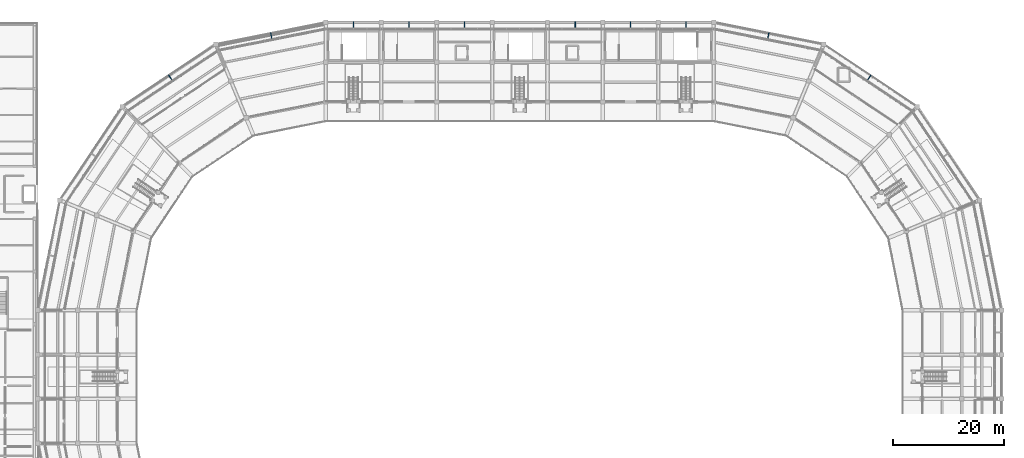
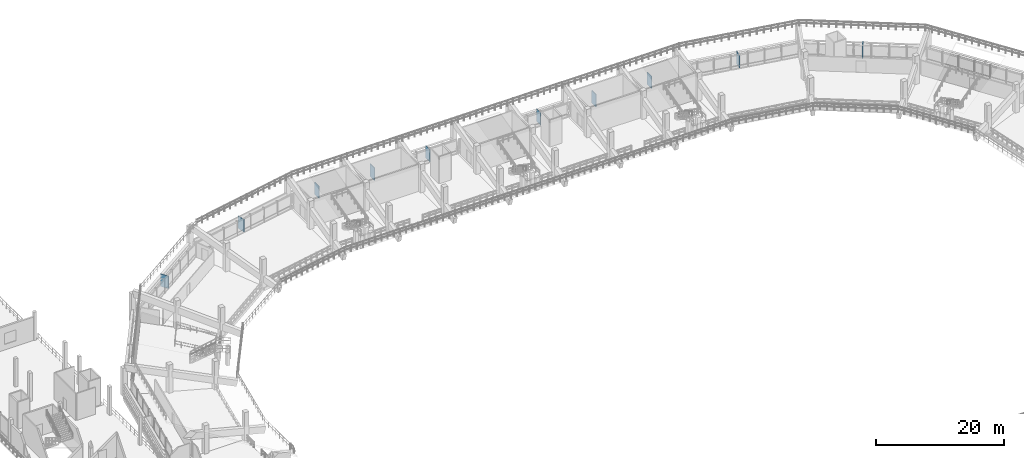
# One storey, part 74 of 96: 10 discrete accessories.
"""IFC4 building model written with IfcOpenShell, lengths in metres."""

from ifc_helpers import new_model, si_unit, direction, frame, origin, origin_2d, place, context, subcontext, project, spatial, rectangle, extrude, material, type_object, element, save


model = new_model("IFC4")

# Units and contexts
model_context = context("Model", 3, precision=1e-05, world=origin(), true_north=direction((0.0, 1.0)))
body_context = subcontext(model_context, "Body", "Model", "MODEL_VIEW")
ifc_project = project(units=[si_unit("LENGTHUNIT", "METRE"), si_unit("AREAUNIT", "SQUARE_METRE"), si_unit("VOLUMEUNIT", "CUBIC_METRE"), si_unit("PLANEANGLEUNIT", "RADIAN"), si_unit("MASSUNIT", "GRAM", prefix="KILO")], contexts=[model_context])

# Site, building, storey
site_placement = place(None, origin())
site = spatial("IfcSite", under=ifc_project, at=site_placement, CompositionType="ELEMENT")
building_placement = place(site_placement, origin())
building = spatial("IfcBuilding", under=site, at=building_placement, Name="Candeia Ridge Stadium", CompositionType="ELEMENT")
storey_placement = place(building_placement, frame((0.0, 0.0, 21.60009765625)))
storey = spatial("IfcBuildingStorey", under=building, at=storey_placement, Name="L04", CompositionType="ELEMENT", Elevation=21.60009765625)

# Discrete accessories
ifc_material = material(Name="Steel ASTM A572 Grade 50", Category="steel")
discrete_accessory_type = type_object("IfcDiscreteAccessoryType", Name="Solar Rib Outrigger Bracket BRK1", PredefinedType="BRACKET", material=ifc_material)
for number, where, z_axis, x_axis, name in (
    (1, (136.0, 146.39990234375, 0.19970703125), (0.0, 0.0, 1.0), (0.0, 1.0, 0.0), "Solar rib steel outrigger bracket L04 bay 01"),
    (2, (126.0, 146.39990234375, 0.19970703125), (0.0, 0.0, 1.0), (0.0, 1.0, 0.0), "Solar rib steel outrigger bracket L04 bay 02"),
    (3, (116.0, 146.39990234375, 0.19970703125), (0.0, 0.0, 1.0), (0.0, 1.0, 0.0), "Solar rib steel outrigger bracket L04 bay 03"),
    (4, (96.0, 146.39990234375, 0.19970703125), (0.0, 0.0, 1.0), (0.0, 1.0, 0.0), "Solar rib steel outrigger bracket L04 bay 05"),
    (5, (86.0, 146.39990234375, 0.19970703125), (0.0, 0.0, 1.0), (0.0, 1.0, 0.0), "Solar rib steel outrigger bracket L04 bay 06"),
    (6, (76.0, 146.39990234375, 0.19970703125), (0.0, 0.0, 1.0), (0.0, 1.0, 0.0), "Solar rib steel outrigger bracket L04 bay 07"),
    (7, (61.1650390625, 144.443603515625, 0.19970703125), (0.0, 0.0, 1.0), (-0.19509022785, 0.980785299134, 0.0), "Solar rib steel outrigger bracket L04 bay 08"),
    (8, (42.992431640625, 136.916259765625, 0.19970703125), (0.0, 0.0, 1.0), (-0.555570172084, 0.831469653018, 0.0), "Solar rib steel outrigger bracket L04 bay 09"),
    (9, (169.007568359375, 136.916259765625, 0.19970703125), (0.0, 0.0, 1.0), (0.555570172084, 0.831469653018, 0.0), "Solar rib steel outrigger bracket L04 bay 35"),
    (10, (150.8349609375, 144.443603515625, 0.19970703125), (0.0, 0.0, 1.0), (0.19509022785, 0.980785299134, 0.0), "Solar rib steel outrigger bracket L04 bay 36"),
):
    element("IfcDiscreteAccessory", number, at=place(storey_placement, frame(where, z_axis=z_axis, x_axis=x_axis)), inside=storey, type_object=discrete_accessory_type, Name=name, PredefinedType="BRACKET", context=body_context, shape_type="SweptSolid", body=[
        extrude(rectangle(XDim=1.35009765625, YDim=0.1201171875, at=origin_2d()), origin(), (0.0, 0.0, 1.0), 2.372314453125),
    ])

save(model, "model.ifc")
